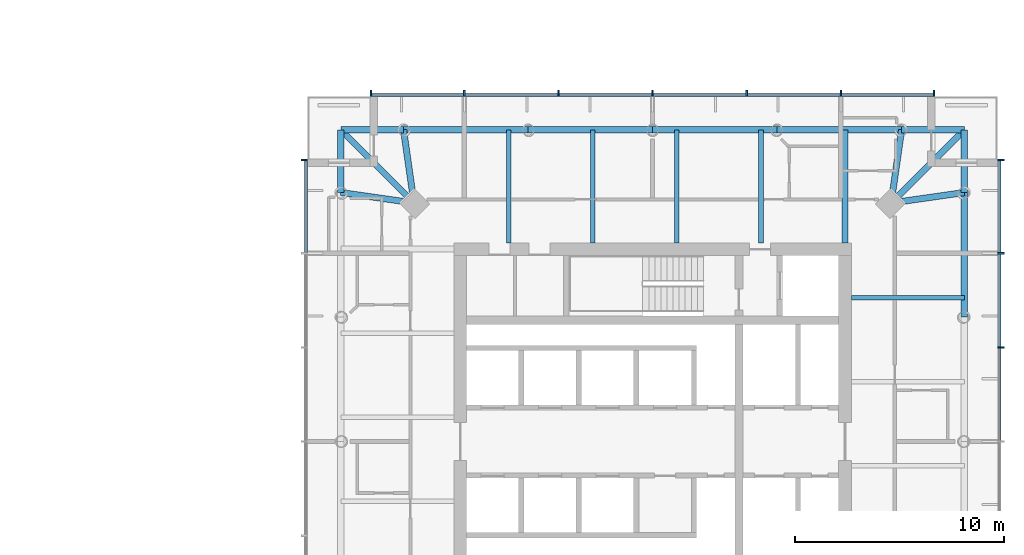
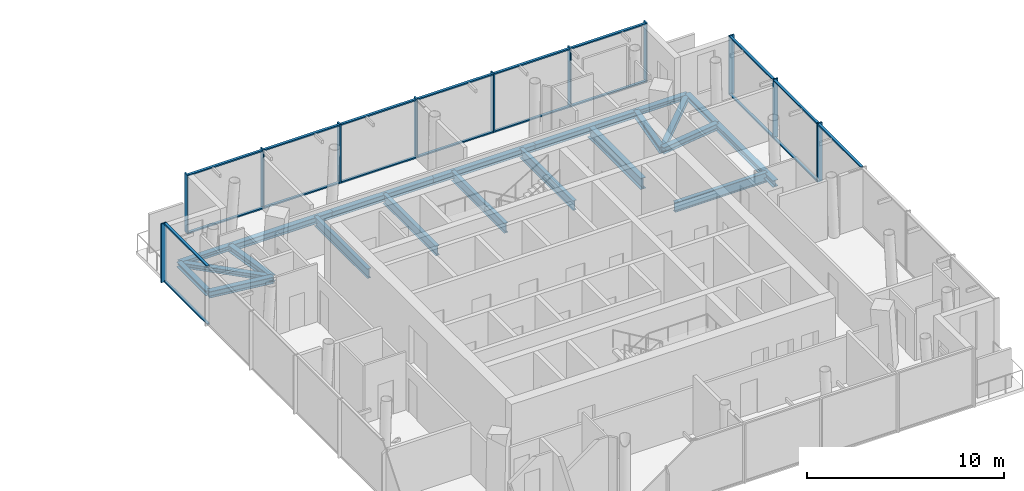
# One storey, part 5 of 19: 30 members, 21 beams, 3 elements without a shape of their own.
"""IFC4 building model written with IfcOpenShell, lengths in metres."""

from ifc_helpers import new_model, si_unit, direction, frame, origin, origin_2d, place, context, subcontext, project, spatial, rectangle, i_section, extrude, material, material_profile, profile_set, type_object, element, aggregate, save


model = new_model("IFC4")

# Units and contexts
model_context = context("Model", 3, precision=1e-05, world=origin(), true_north=direction((0.0, 1.0)))
body_context = subcontext(model_context, "Body", "Model", "MODEL_VIEW")
ifc_project = project(units=[si_unit("LENGTHUNIT", "METRE"), si_unit("AREAUNIT", "SQUARE_METRE"), si_unit("VOLUMEUNIT", "CUBIC_METRE"), si_unit("PLANEANGLEUNIT", "RADIAN"), si_unit("MASSUNIT", "GRAM", prefix="KILO")], contexts=[model_context])

# Site, building, storey
site_placement = place(None, origin())
site = spatial("IfcSite", under=ifc_project, at=site_placement, CompositionType="ELEMENT")
building_placement = place(site_placement, origin())
building = spatial("IfcBuilding", under=site, at=building_placement, Name="Ostroluk Exchange", CompositionType="ELEMENT")
storey_placement = place(building_placement, frame((0.0, 0.0, 116.0)))
storey = spatial("IfcBuildingStorey", under=building, at=storey_placement, Name="L29", CompositionType="ELEMENT", Elevation=116.0)

# Beams
ifc_material_1 = material(Name="Steel S355", Category="steel")
ifc_material_profile_1 = material_profile(ifc_material_1, i_section(OverallWidth=0.300048828125, OverallDepth=0.300048828125, WebThickness=0.010986328125, FlangeThickness=0.01904296875, FilletRadius=0.027099609375, at=origin_2d()), Name="HEB 300")
ifc_profile_set_1 = profile_set([ifc_material_profile_1], Name="Steel S355")
beam_type_1 = type_object("IfcBeamType", Name="Balcony beam HEB 300", PredefinedType="BEAM", material=ifc_profile_set_1)
for number, where, z_axis, x_axis, name in (
    (1, (131.9052734375, 57.9052734375, -0.35009765625), (0.0, 1.0, 0.0), (-1.0, 0.0, 0.0), "T2 east balcony beam a"),
    (2, (128.9052734375, 60.9052734375, -0.35009765625), (1.0, 0.0, 0.0), (0.0, 1.0, 0.0), "T2 east balcony beam b"),
):
    element("IfcBeam", number, at=place(storey_placement, frame(where, z_axis=z_axis, x_axis=x_axis)), inside=storey, type_object=beam_type_1, Name=name, PredefinedType="BEAM", context=body_context, shape_type="SweptSolid", body=[
        extrude(i_section(OverallWidth=0.300048828125, OverallDepth=0.300048828125, WebThickness=0.010986328125, FlangeThickness=0.01904296875, FilletRadius=0.027099609375, at=origin_2d()), origin(), (0.0, 0.0, 1.0), 3.0),
    ])
beam_1_placement = place(storey_placement, frame((128.4052734375, 57.4052734375, -0.35009765625), z_axis=(0.707106781187, 0.707106781187, 0.0), x_axis=(-0.707106781187, 0.707106781187, 0.0)))
element("IfcBeam", 3, at=beam_1_placement, inside=storey, type_object=beam_type_1, Name="T2 east balcony beam c", PredefinedType="BEAM", context=body_context, shape_type="SweptSolid", body=[
    extrude(i_section(OverallWidth=0.300048828125, OverallDepth=0.300048828125, WebThickness=0.010986328125, FlangeThickness=0.01904296875, FilletRadius=0.027099609375, at=origin_2d()), origin(), (0.0, 0.0, 1.0), 4.94970703125),
])
for number, where, z_axis, x_axis, name in (
    (4, (105.0947265625, 60.9052734375, -0.35009765625), (-1.0, 0.0, 0.0), (0.0, -1.0, 0.0), "T2 north balcony beam a"),
    (5, (102.0947265625, 57.9052734375, -0.35009765625), (0.0, 1.0, 0.0), (-1.0, 0.0, 0.0), "T2 north balcony beam b"),
):
    element("IfcBeam", number, at=place(storey_placement, frame(where, z_axis=z_axis, x_axis=x_axis)), inside=storey, type_object=beam_type_1, Name=name, PredefinedType="BEAM", context=body_context, shape_type="SweptSolid", body=[
        extrude(i_section(OverallWidth=0.300048828125, OverallDepth=0.300048828125, WebThickness=0.010986328125, FlangeThickness=0.01904296875, FilletRadius=0.027099609375, at=origin_2d()), origin(), (0.0, 0.0, 1.0), 3.0),
    ])
beam_2_placement = place(storey_placement, frame((105.5947265625, 57.4052734375, -0.35009765625), z_axis=(-0.707106781187, 0.707106781187, 0.0), x_axis=(-0.707106781187, -0.707106781187, 0.0)))
element("IfcBeam", 6, at=beam_2_placement, inside=storey, type_object=beam_type_1, Name="T2 north balcony beam c", PredefinedType="BEAM", context=body_context, shape_type="SweptSolid", body=[
    extrude(i_section(OverallWidth=0.300048828125, OverallDepth=0.300048828125, WebThickness=0.010986328125, FlangeThickness=0.01904296875, FilletRadius=0.027099609375, at=origin_2d()), origin(), (0.0, 0.0, 1.0), 4.94970703125),
])
ifc_material_2 = material(Name="Steel S355", Category="steel")
ifc_material_profile_2 = material_profile(ifc_material_2, i_section(OverallWidth=0.300048828125, OverallDepth=0.39990234375, WebThickness=0.013427734375, FlangeThickness=0.02392578125, FilletRadius=0.027099609375, at=origin_2d()), Name="HEB 400")
ifc_profile_set_2 = profile_set([ifc_material_profile_2], Name="Steel S355")
beam_type_2 = type_object("IfcBeamType", Name="Corner edge beam HEB 400", PredefinedType="SPANDREL", material=ifc_profile_set_2)
for number, where, z_axis, x_axis, name in (
    (7, (128.4052734375, 57.4052734375, -0.39990234375), (0.989949493661, 0.141421356237, 0.0), (-0.141421356237, 0.989949493661, 0.0), "T2 east corner edge beam a"),
    (8, (128.4052734375, 57.4052734375, -0.39990234375), (0.141421356237, 0.989949493661, 0.0), (-0.989949493661, 0.141421356237, 0.0), "T2 east corner edge beam b"),
    (9, (105.5947265625, 57.4052734375, -0.39990234375), (-0.141421356237, 0.989949493661, 0.0), (-0.989949493661, -0.141421356237, 0.0), "T2 north corner edge beam a"),
    (10, (105.5947265625, 57.4052734375, -0.39990234375), (-0.989949493661, 0.141421356237, 0.0), (-0.141421356237, -0.989949493661, 0.0), "T2 north corner edge beam b"),
):
    element("IfcBeam", number, at=place(storey_placement, frame(where, z_axis=z_axis, x_axis=x_axis)), inside=storey, type_object=beam_type_2, Name=name, PredefinedType="SPANDREL", context=body_context, shape_type="SweptSolid", body=[
        extrude(i_section(OverallWidth=0.300048828125, OverallDepth=0.39990234375, WebThickness=0.013427734375, FlangeThickness=0.02392578125, FilletRadius=0.027099609375, at=origin_2d()), origin(), (0.0, 0.0, 1.0), 3.53564453125),
    ])
ifc_material_3 = material(Name="Steel S355", Category="steel")
ifc_material_profile_3 = material_profile(ifc_material_3, i_section(OverallWidth=0.219970703125, OverallDepth=0.60009765625, WebThickness=0.011962890625, FlangeThickness=0.01904296875, FilletRadius=0.02392578125, at=origin_2d()), Name="IPE 600")
ifc_profile_set_3 = profile_set([ifc_material_profile_3], Name="Steel S355")
beam_type_3 = type_object("IfcBeamType", Name="Floor beam IPE 600", PredefinedType="BEAM", material=ifc_profile_set_3)
for number, where, z_axis, x_axis, name in (
    (11, (126.5, 52.8701171875, -0.5), (1.0, 0.0, 0.0), (0.0, 1.0, 0.0), "T2 east floor beam 4"),
    (12, (122.182373046875, 55.5, -0.5), (0.0, 1.0, 0.0), (-1.0, 0.0, 0.0), "T2 north floor beam 1"),
    (13, (118.1650390625, 55.5, -0.5), (0.0, 1.0, 0.0), (-1.0, 0.0, 0.0), "T2 north floor beam 2"),
    (14, (114.1474609375, 55.5, -0.5), (0.0, 1.0, 0.0), (-1.0, 0.0, 0.0), "T2 north floor beam 3"),
    (15, (110.1298828125, 55.5, -0.5), (0.0, 1.0, 0.0), (-1.0, 0.0, 0.0), "T2 north floor beam 4"),
):
    element("IfcBeam", number, at=place(storey_placement, frame(where, z_axis=z_axis, x_axis=x_axis)), inside=storey, type_object=beam_type_3, Name=name, PredefinedType="BEAM", context=body_context, shape_type="SweptSolid", body=[
        extrude(i_section(OverallWidth=0.219970703125, OverallDepth=0.60009765625, WebThickness=0.011962890625, FlangeThickness=0.01904296875, FilletRadius=0.02392578125, at=origin_2d()), origin(), (0.0, 0.0, 1.0), 5.4052734375),
    ])
ifc_material_4 = material(Name="Steel S355", Category="steel")
ifc_material_profile_4 = material_profile(ifc_material_4, i_section(OverallWidth=0.300048828125, OverallDepth=0.699951171875, WebThickness=0.01708984375, FlangeThickness=0.031982421875, FilletRadius=0.027099609375, at=origin_2d()), Name="HEB 700")
ifc_profile_set_4 = profile_set([ifc_material_profile_4], Name="Steel S355")
beam_type_4 = type_object("IfcBeamType", Name="Girder HEB 700", PredefinedType="BEAM", material=ifc_profile_set_4)
beam_3_placement = place(storey_placement, frame((126.199951171875, 55.5, -0.550048828125), z_axis=(0.0, 1.0, 0.0), x_axis=(-1.0, 0.0, 0.0)))
element("IfcBeam", 16, at=beam_3_placement, inside=storey, type_object=beam_type_4, Name="T2 east girder", PredefinedType="BEAM", context=body_context, shape_type="SweptSolid", body=[
    extrude(i_section(OverallWidth=0.300048828125, OverallDepth=0.699951171875, WebThickness=0.01708984375, FlangeThickness=0.031982421875, FilletRadius=0.027099609375, at=origin_2d()), origin(), (0.0, 0.0, 1.0), 5.4052734375),
])
ifc_material_5 = material(Name="Steel S355", Category="steel")
ifc_material_profile_5 = material_profile(ifc_material_5, i_section(OverallWidth=0.300048828125, OverallDepth=0.39990234375, WebThickness=0.013427734375, FlangeThickness=0.02392578125, FilletRadius=0.027099609375, at=origin_2d()), Name="HEB 400")
ifc_profile_set_5 = profile_set([ifc_material_profile_5], Name="Steel S355")
beam_type_5 = type_object("IfcBeamType", Name="Moment-connected edge beam HEB 400", PredefinedType="SPANDREL", material=ifc_profile_set_5)
for number, where, z_axis, x_axis, name in (
    (17, (131.9052734375, 51.95263671875, -0.39990234375), (0.0, 1.0, 0.0), (-1.0, 0.0, 0.0), "T2 east edge beam 4"),
    (18, (128.9052734375, 60.9052734375, -0.39990234375), (-1.0, 0.0, 0.0), (0.0, -1.0, 0.0), "T2 north edge beam 1"),
    (19, (122.95263671875, 60.9052734375, -0.39990234375), (-1.0, 0.0, 0.0), (0.0, -1.0, 0.0), "T2 north edge beam 2"),
    (20, (117.0, 60.9052734375, -0.39990234375), (-1.0, 0.0, 0.0), (0.0, -1.0, 0.0), "T2 north edge beam 3"),
    (21, (111.04736328125, 60.9052734375, -0.39990234375), (-1.0, 0.0, 0.0), (0.0, -1.0, 0.0), "T2 north edge beam 4"),
):
    element("IfcBeam", number, at=place(storey_placement, frame(where, z_axis=z_axis, x_axis=x_axis)), inside=storey, type_object=beam_type_5, Name=name, PredefinedType="SPANDREL", context=body_context, shape_type="SweptSolid", body=[
        extrude(i_section(OverallWidth=0.300048828125, OverallDepth=0.39990234375, WebThickness=0.013427734375, FlangeThickness=0.02392578125, FilletRadius=0.027099609375, at=origin_2d()), origin(), (0.0, 0.0, 1.0), 5.95263671875),
    ])

# Curtain wall, members
ifc_material_6 = material(Name="Laminated clear glass", Category="glass")
curtain_wall_type = type_object("IfcCurtainWallType", Name="Hotel guest floor facade", PredefinedType="USERDEFINED", material=ifc_material_6)
curtain_wall_1_placement = place(storey_placement, origin())
curtain_wall_1 = element("IfcCurtainWall", 22, at=curtain_wall_1_placement, inside=storey, type_object=curtain_wall_type, Name="Hotel tower east facade L29", ObjectType="UNITISED CURTAIN WALL", PredefinedType="USERDEFINED")
ifc_material_7 = material(Name="Aluminium mullion", Category="aluminium")
ifc_material_profile_6 = material_profile(ifc_material_7, rectangle(XDim=0.14990234375, YDim=0.080078125, at=origin_2d()), Name="Sill transom 80 x 150")
ifc_profile_set_6 = profile_set([ifc_material_profile_6], Name="Aluminium mullion")
member_type_1 = type_object("IfcMemberType", Name="Sill transom 80 x 150", PredefinedType="USERDEFINED", material=ifc_profile_set_6)
member_1_placement = place(storey_placement, frame((133.574951171875, 46.0400390625, 3.610107421875), z_axis=(0.0, 1.0, 0.0), x_axis=(-1.0, 0.0, 0.0)))
member_1 = element("IfcMember", 23, at=member_1_placement, type_object=member_type_1, Name="CW-H1 transom 4.2", ObjectType="TRANSOM", PredefinedType="USERDEFINED", context=body_context, shape_type="SweptSolid", body=[
    extrude(rectangle(XDim=0.14990234375, YDim=0.080078125, at=origin_2d()), origin(), (0.0, 0.0, 1.0), 4.419921875),
])
member_2_placement = place(storey_placement, frame((133.574951171875, 50.5400390625, 0.0400390625), z_axis=(0.0, 1.0, 0.0), x_axis=(-1.0, 0.0, 0.0)))
member_2 = element("IfcMember", 24, at=member_2_placement, type_object=member_type_1, Name="CW-H1 transom 5.1", ObjectType="TRANSOM", PredefinedType="USERDEFINED", context=body_context, shape_type="SweptSolid", body=[
    extrude(rectangle(XDim=0.14990234375, YDim=0.080078125, at=origin_2d()), origin(), (0.0, 0.0, 1.0), 4.419921875),
])
member_3_placement = place(storey_placement, frame((133.574951171875, 50.5400390625, 3.610107421875), z_axis=(0.0, 1.0, 0.0), x_axis=(-1.0, 0.0, 0.0)))
member_3 = element("IfcMember", 25, at=member_3_placement, type_object=member_type_1, Name="CW-H1 transom 5.2", ObjectType="TRANSOM", PredefinedType="USERDEFINED", context=body_context, shape_type="SweptSolid", body=[
    extrude(rectangle(XDim=0.14990234375, YDim=0.080078125, at=origin_2d()), origin(), (0.0, 0.0, 1.0), 4.419921875),
])
member_4_placement = place(storey_placement, frame((133.574951171875, 55.0400390625, 0.0400390625), z_axis=(0.0, 1.0, 0.0), x_axis=(-1.0, 0.0, 0.0)))
member_4 = element("IfcMember", 26, at=member_4_placement, type_object=member_type_1, Name="CW-H1 transom 6.1", ObjectType="TRANSOM", PredefinedType="USERDEFINED", context=body_context, shape_type="SweptSolid", body=[
    extrude(rectangle(XDim=0.14990234375, YDim=0.080078125, at=origin_2d()), origin(), (0.0, 0.0, 1.0), 4.3798828125),
])
member_5_placement = place(storey_placement, frame((133.574951171875, 55.0400390625, 3.610107421875), z_axis=(0.0, 1.0, 0.0), x_axis=(-1.0, 0.0, 0.0)))
member_5 = element("IfcMember", 27, at=member_5_placement, type_object=member_type_1, Name="CW-H1 transom 6.2", ObjectType="TRANSOM", PredefinedType="USERDEFINED", context=body_context, shape_type="SweptSolid", body=[
    extrude(rectangle(XDim=0.14990234375, YDim=0.080078125, at=origin_2d()), origin(), (0.0, 0.0, 1.0), 4.3798828125),
])

curtain_wall_2_placement = place(storey_placement, origin())
curtain_wall_2 = element("IfcCurtainWall", 28, at=curtain_wall_2_placement, inside=storey, type_object=curtain_wall_type, Name="Hotel tower north facade L29", ObjectType="UNITISED CURTAIN WALL", PredefinedType="USERDEFINED")
member_6_placement = place(storey_placement, frame((130.419921875, 62.574951171875, 0.0400390625), z_axis=(-1.0, 0.0, 0.0), x_axis=(0.0, -1.0, 0.0)))
member_6 = element("IfcMember", 29, at=member_6_placement, type_object=member_type_1, Name="CW-H1 transom 1.1", ObjectType="TRANSOM", PredefinedType="USERDEFINED", context=body_context, shape_type="SweptSolid", body=[
    extrude(rectangle(XDim=0.14990234375, YDim=0.080078125, at=origin_2d()), origin(), (0.0, 0.0, 1.0), 4.3798828125),
])
member_7_placement = place(storey_placement, frame((130.419921875, 62.574951171875, 3.610107421875), z_axis=(-1.0, 0.0, 0.0), x_axis=(0.0, -1.0, 0.0)))
member_7 = element("IfcMember", 30, at=member_7_placement, type_object=member_type_1, Name="CW-H1 transom 1.2", ObjectType="TRANSOM", PredefinedType="USERDEFINED", context=body_context, shape_type="SweptSolid", body=[
    extrude(rectangle(XDim=0.14990234375, YDim=0.080078125, at=origin_2d()), origin(), (0.0, 0.0, 1.0), 4.3798828125),
])
member_8_placement = place(storey_placement, frame((125.9599609375, 62.574951171875, 0.0400390625), z_axis=(-1.0, 0.0, 0.0), x_axis=(0.0, -1.0, 0.0)))
member_8 = element("IfcMember", 31, at=member_8_placement, type_object=member_type_1, Name="CW-H1 transom 2.1", ObjectType="TRANSOM", PredefinedType="USERDEFINED", context=body_context, shape_type="SweptSolid", body=[
    extrude(rectangle(XDim=0.14990234375, YDim=0.080078125, at=origin_2d()), origin(), (0.0, 0.0, 1.0), 4.419921875),
])
member_9_placement = place(storey_placement, frame((125.9599609375, 62.574951171875, 3.610107421875), z_axis=(-1.0, 0.0, 0.0), x_axis=(0.0, -1.0, 0.0)))
member_9 = element("IfcMember", 32, at=member_9_placement, type_object=member_type_1, Name="CW-H1 transom 2.2", ObjectType="TRANSOM", PredefinedType="USERDEFINED", context=body_context, shape_type="SweptSolid", body=[
    extrude(rectangle(XDim=0.14990234375, YDim=0.080078125, at=origin_2d()), origin(), (0.0, 0.0, 1.0), 4.419921875),
])
member_10_placement = place(storey_placement, frame((121.4599609375, 62.574951171875, 0.0400390625), z_axis=(-1.0, 0.0, 0.0), x_axis=(0.0, -1.0, 0.0)))
member_10 = element("IfcMember", 33, at=member_10_placement, type_object=member_type_1, Name="CW-H1 transom 3.1", ObjectType="TRANSOM", PredefinedType="USERDEFINED", context=body_context, shape_type="SweptSolid", body=[
    extrude(rectangle(XDim=0.14990234375, YDim=0.080078125, at=origin_2d()), origin(), (0.0, 0.0, 1.0), 4.419921875),
])
member_11_placement = place(storey_placement, frame((121.4599609375, 62.574951171875, 3.610107421875), z_axis=(-1.0, 0.0, 0.0), x_axis=(0.0, -1.0, 0.0)))
member_11 = element("IfcMember", 34, at=member_11_placement, type_object=member_type_1, Name="CW-H1 transom 3.2", ObjectType="TRANSOM", PredefinedType="USERDEFINED", context=body_context, shape_type="SweptSolid", body=[
    extrude(rectangle(XDim=0.14990234375, YDim=0.080078125, at=origin_2d()), origin(), (0.0, 0.0, 1.0), 4.419921875),
])
member_12_placement = place(storey_placement, frame((116.9599609375, 62.574951171875, 0.0400390625), z_axis=(-1.0, 0.0, 0.0), x_axis=(0.0, -1.0, 0.0)))
member_12 = element("IfcMember", 35, at=member_12_placement, type_object=member_type_1, Name="CW-H1 transom 4.1", ObjectType="TRANSOM", PredefinedType="USERDEFINED", context=body_context, shape_type="SweptSolid", body=[
    extrude(rectangle(XDim=0.14990234375, YDim=0.080078125, at=origin_2d()), origin(), (0.0, 0.0, 1.0), 4.419921875),
])
member_13_placement = place(storey_placement, frame((116.9599609375, 62.574951171875, 3.610107421875), z_axis=(-1.0, 0.0, 0.0), x_axis=(0.0, -1.0, 0.0)))
member_13 = element("IfcMember", 36, at=member_13_placement, type_object=member_type_1, Name="CW-H1 transom 4.2", ObjectType="TRANSOM", PredefinedType="USERDEFINED", context=body_context, shape_type="SweptSolid", body=[
    extrude(rectangle(XDim=0.14990234375, YDim=0.080078125, at=origin_2d()), origin(), (0.0, 0.0, 1.0), 4.419921875),
])
member_14_placement = place(storey_placement, frame((112.4599609375, 62.574951171875, 0.0400390625), z_axis=(-1.0, 0.0, 0.0), x_axis=(0.0, -1.0, 0.0)))
member_14 = element("IfcMember", 37, at=member_14_placement, type_object=member_type_1, Name="CW-H1 transom 5.1", ObjectType="TRANSOM", PredefinedType="USERDEFINED", context=body_context, shape_type="SweptSolid", body=[
    extrude(rectangle(XDim=0.14990234375, YDim=0.080078125, at=origin_2d()), origin(), (0.0, 0.0, 1.0), 4.419921875),
])
member_15_placement = place(storey_placement, frame((112.4599609375, 62.574951171875, 3.610107421875), z_axis=(-1.0, 0.0, 0.0), x_axis=(0.0, -1.0, 0.0)))
member_15 = element("IfcMember", 38, at=member_15_placement, type_object=member_type_1, Name="CW-H1 transom 5.2", ObjectType="TRANSOM", PredefinedType="USERDEFINED", context=body_context, shape_type="SweptSolid", body=[
    extrude(rectangle(XDim=0.14990234375, YDim=0.080078125, at=origin_2d()), origin(), (0.0, 0.0, 1.0), 4.419921875),
])
member_16_placement = place(storey_placement, frame((107.9599609375, 62.574951171875, 0.0400390625), z_axis=(-1.0, 0.0, 0.0), x_axis=(0.0, -1.0, 0.0)))
member_16 = element("IfcMember", 39, at=member_16_placement, type_object=member_type_1, Name="CW-H1 transom 6.1", ObjectType="TRANSOM", PredefinedType="USERDEFINED", context=body_context, shape_type="SweptSolid", body=[
    extrude(rectangle(XDim=0.14990234375, YDim=0.080078125, at=origin_2d()), origin(), (0.0, 0.0, 1.0), 4.3798828125),
])
member_17_placement = place(storey_placement, frame((107.9599609375, 62.574951171875, 3.610107421875), z_axis=(-1.0, 0.0, 0.0), x_axis=(0.0, -1.0, 0.0)))
member_17 = element("IfcMember", 40, at=member_17_placement, type_object=member_type_1, Name="CW-H1 transom 6.2", ObjectType="TRANSOM", PredefinedType="USERDEFINED", context=body_context, shape_type="SweptSolid", body=[
    extrude(rectangle(XDim=0.14990234375, YDim=0.080078125, at=origin_2d()), origin(), (0.0, 0.0, 1.0), 4.3798828125),
])

curtain_wall_3_placement = place(storey_placement, origin())
curtain_wall_3 = element("IfcCurtainWall", 41, at=curtain_wall_3_placement, inside=storey, type_object=curtain_wall_type, Name="Hotel tower west facade L29", ObjectType="UNITISED CURTAIN WALL", PredefinedType="USERDEFINED")
member_18_placement = place(storey_placement, frame((100.425048828125, 59.419921875, 0.0400390625), z_axis=(0.0, -1.0, 0.0), x_axis=(1.0, 0.0, 0.0)))
member_18 = element("IfcMember", 42, at=member_18_placement, type_object=member_type_1, Name="CW-H1 transom 1.1", ObjectType="TRANSOM", PredefinedType="USERDEFINED", context=body_context, shape_type="SweptSolid", body=[
    extrude(rectangle(XDim=0.14990234375, YDim=0.080078125, at=origin_2d()), origin(), (0.0, 0.0, 1.0), 4.3798828125),
])
member_19_placement = place(storey_placement, frame((100.425048828125, 59.419921875, 3.610107421875), z_axis=(0.0, -1.0, 0.0), x_axis=(1.0, 0.0, 0.0)))
member_19 = element("IfcMember", 43, at=member_19_placement, type_object=member_type_1, Name="CW-H1 transom 1.2", ObjectType="TRANSOM", PredefinedType="USERDEFINED", context=body_context, shape_type="SweptSolid", body=[
    extrude(rectangle(XDim=0.14990234375, YDim=0.080078125, at=origin_2d()), origin(), (0.0, 0.0, 1.0), 4.3798828125),
])

# Member
ifc_material_8 = material(Name="Aluminium mullion with limestone facing", Category="masonry")
ifc_material_profile_7 = material_profile(ifc_material_8, rectangle(XDim=0.300048828125, YDim=0.080078125, at=origin_2d()), Name="Tracery mullion 80 x 300")
ifc_profile_set_7 = profile_set([ifc_material_profile_7], Name="Aluminium mullion with limestone facing")
member_type_2 = type_object("IfcMemberType", Name="Tracery mullion 80 x 300", PredefinedType="MULLION", material=ifc_profile_set_7)
member_20_placement = place(storey_placement, frame((133.64990234375, 50.5, 0.0), z_axis=(0.0, 0.0, 1.0), x_axis=(-1.0, 0.0, 0.0)))
member_20 = element("IfcMember", 44, at=member_20_placement, type_object=member_type_2, Name="CW-H1 mullion 5", PredefinedType="MULLION", context=body_context, shape_type="SweptSolid", body=[
    extrude(rectangle(XDim=0.300048828125, YDim=0.080078125, at=origin_2d()), origin(), (0.0, 0.0, 1.0), 3.64990234375),
])

member_21_placement = place(storey_placement, frame((133.64990234375, 55.0, 0.0), z_axis=(0.0, 0.0, 1.0), x_axis=(-1.0, 0.0, 0.0)))
member_21 = element("IfcMember", 45, at=member_21_placement, type_object=member_type_2, Name="CW-H1 mullion 6", PredefinedType="MULLION", context=body_context, shape_type="SweptSolid", body=[
    extrude(rectangle(XDim=0.300048828125, YDim=0.080078125, at=origin_2d()), origin(), (0.0, 0.0, 1.0), 3.64990234375),
])

member_22_placement = place(storey_placement, frame((133.64990234375, 59.4599609375, 0.0), z_axis=(0.0, 0.0, 1.0), x_axis=(-1.0, 0.0, 0.0)))
member_22 = element("IfcMember", 46, at=member_22_placement, type_object=member_type_2, Name="CW-H1 mullion 7", PredefinedType="MULLION", context=body_context, shape_type="SweptSolid", body=[
    extrude(rectangle(XDim=0.300048828125, YDim=0.080078125, at=origin_2d()), origin(), (0.0, 0.0, 1.0), 3.64990234375),
])

aggregate(curtain_wall_1, [member_20, member_21, member_22, member_1, member_2, member_3, member_4, member_5])

member_23_placement = place(storey_placement, frame((130.4599609375, 62.64990234375, 0.0), z_axis=(0.0, 0.0, 1.0), x_axis=(0.0, -1.0, 0.0)))
member_23 = element("IfcMember", 47, at=member_23_placement, type_object=member_type_2, Name="CW-H1 mullion 1", PredefinedType="MULLION", context=body_context, shape_type="SweptSolid", body=[
    extrude(rectangle(XDim=0.300048828125, YDim=0.080078125, at=origin_2d()), origin(), (0.0, 0.0, 1.0), 3.64990234375),
])

member_24_placement = place(storey_placement, frame((126.0, 62.64990234375, 0.0), z_axis=(0.0, 0.0, 1.0), x_axis=(0.0, -1.0, 0.0)))
member_24 = element("IfcMember", 48, at=member_24_placement, type_object=member_type_2, Name="CW-H1 mullion 2", PredefinedType="MULLION", context=body_context, shape_type="SweptSolid", body=[
    extrude(rectangle(XDim=0.300048828125, YDim=0.080078125, at=origin_2d()), origin(), (0.0, 0.0, 1.0), 3.64990234375),
])

member_25_placement = place(storey_placement, frame((121.5, 62.64990234375, 0.0), z_axis=(0.0, 0.0, 1.0), x_axis=(0.0, -1.0, 0.0)))
member_25 = element("IfcMember", 49, at=member_25_placement, type_object=member_type_2, Name="CW-H1 mullion 3", PredefinedType="MULLION", context=body_context, shape_type="SweptSolid", body=[
    extrude(rectangle(XDim=0.300048828125, YDim=0.080078125, at=origin_2d()), origin(), (0.0, 0.0, 1.0), 3.64990234375),
])

member_26_placement = place(storey_placement, frame((117.0, 62.64990234375, 0.0), z_axis=(0.0, 0.0, 1.0), x_axis=(0.0, -1.0, 0.0)))
member_26 = element("IfcMember", 50, at=member_26_placement, type_object=member_type_2, Name="CW-H1 mullion 4", PredefinedType="MULLION", context=body_context, shape_type="SweptSolid", body=[
    extrude(rectangle(XDim=0.300048828125, YDim=0.080078125, at=origin_2d()), origin(), (0.0, 0.0, 1.0), 3.64990234375),
])

member_27_placement = place(storey_placement, frame((112.5, 62.64990234375, 0.0), z_axis=(0.0, 0.0, 1.0), x_axis=(0.0, -1.0, 0.0)))
member_27 = element("IfcMember", 51, at=member_27_placement, type_object=member_type_2, Name="CW-H1 mullion 5", PredefinedType="MULLION", context=body_context, shape_type="SweptSolid", body=[
    extrude(rectangle(XDim=0.300048828125, YDim=0.080078125, at=origin_2d()), origin(), (0.0, 0.0, 1.0), 3.64990234375),
])

member_28_placement = place(storey_placement, frame((108.0, 62.64990234375, 0.0), z_axis=(0.0, 0.0, 1.0), x_axis=(0.0, -1.0, 0.0)))
member_28 = element("IfcMember", 52, at=member_28_placement, type_object=member_type_2, Name="CW-H1 mullion 6", PredefinedType="MULLION", context=body_context, shape_type="SweptSolid", body=[
    extrude(rectangle(XDim=0.300048828125, YDim=0.080078125, at=origin_2d()), origin(), (0.0, 0.0, 1.0), 3.64990234375),
])

member_29_placement = place(storey_placement, frame((103.5400390625, 62.64990234375, 0.0), z_axis=(0.0, 0.0, 1.0), x_axis=(0.0, -1.0, 0.0)))
member_29 = element("IfcMember", 53, at=member_29_placement, type_object=member_type_2, Name="CW-H1 mullion 7", PredefinedType="MULLION", context=body_context, shape_type="SweptSolid", body=[
    extrude(rectangle(XDim=0.300048828125, YDim=0.080078125, at=origin_2d()), origin(), (0.0, 0.0, 1.0), 3.64990234375),
])

aggregate(curtain_wall_2, [member_23, member_24, member_25, member_26, member_27, member_28, member_29, member_6, member_7, member_8, member_9, member_10, member_11, member_12, member_13, member_14, member_15, member_16, member_17])

member_30_placement = place(storey_placement, frame((100.35009765625, 59.4599609375, 0.0), z_axis=(0.0, 0.0, 1.0), x_axis=(1.0, 0.0, 0.0)))
member_30 = element("IfcMember", 54, at=member_30_placement, type_object=member_type_2, Name="CW-H1 mullion 1", PredefinedType="MULLION", context=body_context, shape_type="SweptSolid", body=[
    extrude(rectangle(XDim=0.300048828125, YDim=0.080078125, at=origin_2d()), origin(), (0.0, 0.0, 1.0), 3.64990234375),
])

aggregate(curtain_wall_3, [member_30, member_18, member_19])

save(model, "model.ifc")
